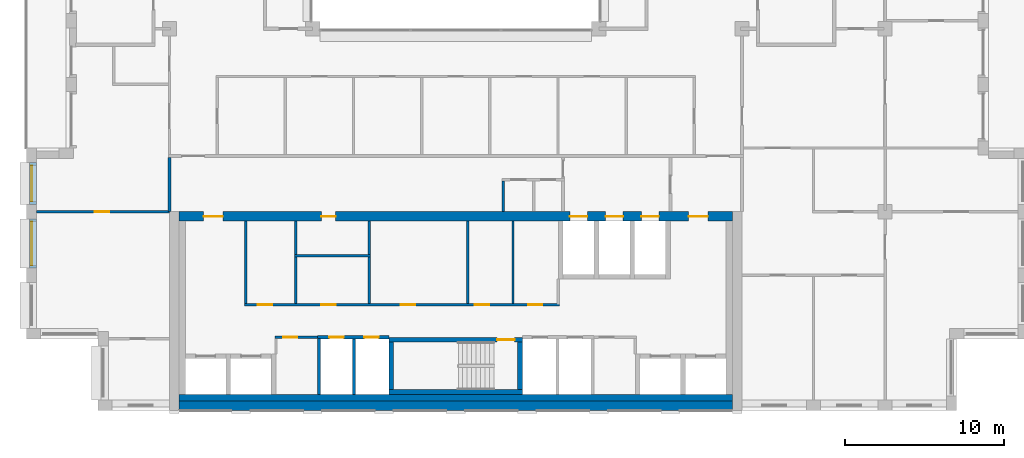
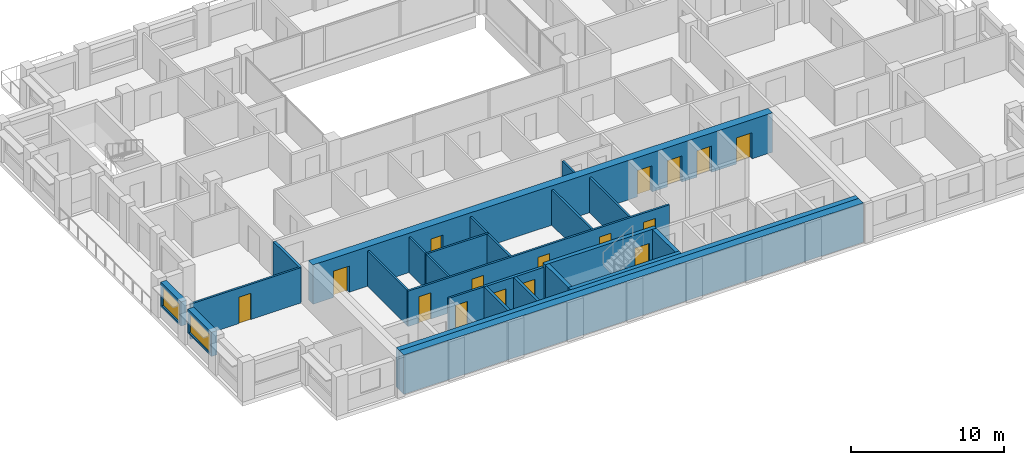
# One storey, part 8 of 15: 25 walls, 16 doors, 2 windows, 18 openings.
"""IFC4 building model written with IfcOpenShell, lengths in metres."""

from ifc_helpers import new_model, si_unit, direction, frame, frame_2d, origin, place, context, subcontext, project, spatial, rectangle, extrude, material, layer, layer_set, type_object, element, fill, save


model = new_model("IFC4")

# Units and contexts
model_context = context("Model", 3, precision=1e-05, world=origin(), true_north=direction((0.0, 1.0)))
body_context = subcontext(model_context, "Body", "Model", "MODEL_VIEW")
ifc_project = project(units=[si_unit("LENGTHUNIT", "METRE"), si_unit("AREAUNIT", "SQUARE_METRE"), si_unit("VOLUMEUNIT", "CUBIC_METRE"), si_unit("PLANEANGLEUNIT", "RADIAN"), si_unit("MASSUNIT", "GRAM", prefix="KILO")], contexts=[model_context])

# Site, building, storey
site_placement = place(None, origin())
site = spatial("IfcSite", under=ifc_project, at=site_placement, CompositionType="ELEMENT")
building_placement = place(site_placement, origin())
building = spatial("IfcBuilding", under=site, at=building_placement, Name="Brigalow Station Residences", CompositionType="ELEMENT")
storey_placement = place(building_placement, frame((0.0, 0.0, 220.050048828125)))
storey = spatial("IfcBuildingStorey", under=building, at=storey_placement, Name="L63", CompositionType="ELEMENT", Elevation=220.050048828125)

# Wall, opening, window
ifc_material_1 = material(Name="Clay brick masonry", Category="masonry")
ifc_layer_1 = layer(ifc_material_1, 0.449951171875)
ifc_layer_set_1 = layer_set([ifc_layer_1], Name="BRICK INFILL WALL 450")
wall_type_1 = type_object("IfcWallType", Name="BRICK INFILL WALL 450", PredefinedType="SOLIDWALL", material=ifc_layer_set_1)
wall_1_placement = place(storey_placement, frame((9.425048828125, 15.60009765625, 0.89990234375), z_axis=(0.0, 0.0, 1.0), x_axis=(0.0, -1.0, 0.0)))
wall_1 = element("IfcWall", 1, at=wall_1_placement, inside=storey, type_object=wall_type_1, Name="L63/ewall/W-L63-41", PredefinedType="SOLIDWALL", context=body_context, shape_type="SweptSolid", body=[
    extrude(rectangle(XDim=2.650146484375, YDim=0.449951171875, at=frame_2d((1.3251953125, 0.0))), origin(), (0.0, 0.0, 1.0), 1.929931640625),
])
opening_1_placement = place(wall_1_placement, frame((0.199951171875, 0.0, 0.14990234375)))
opening_1 = element("IfcOpeningElement", 2, at=opening_1_placement, cuts=wall_1, Name="Opening WT-6", PredefinedType="OPENING", context=body_context, shape_type="SweptSolid", body=[
    extrude(rectangle(XDim=2.25, YDim=1.5, at=frame_2d((1.125, 0.75))), frame((0.0, 0.23486328125, 0.0), z_axis=(0.0, -1.0, 0.0), x_axis=(1.0, 0.0, 0.0)), (0.0, 0.0, 1.0), 0.469970703125),
])
ifc_material_2 = material(Name="Anodised aluminium frame with double glazing", Category="aluminium")
window_type_1 = type_object("IfcWindowType", Name="WINDOW 2250x1500", PartitioningType="SINGLE_PANEL", PredefinedType="WINDOW", material=ifc_material_2)
window_1_placement = place(opening_1_placement, origin())
window_1 = element("IfcWindow", 3, at=window_1_placement, inside=storey, type_object=window_type_1, Name="L63/window/W-L63-41", OverallHeight=1.5, OverallWidth=2.25, PartitioningType="SINGLE_PANEL", PredefinedType="WINDOW", context=body_context, shape_type="SweptSolid", body=[
    extrude(rectangle(XDim=2.25, YDim=1.5, at=frame_2d((1.125, 0.75))), frame((0.0, -0.06494140625, 0.0), z_axis=(0.0, -1.0, 0.0), x_axis=(1.0, 0.0, 0.0)), (0.0, 0.0, 1.0), 0.06005859375),
])
fill(opening_1, window_1)

wall_2_placement = place(storey_placement, frame((9.425048828125, 12.050048828125, 0.89990234375), z_axis=(0.0, 0.0, 1.0), x_axis=(0.0, -1.0, 0.0)))
wall_2 = element("IfcWall", 4, at=wall_2_placement, inside=storey, type_object=wall_type_1, Name="L63/ewall/W-L63-42", PredefinedType="SOLIDWALL", context=body_context, shape_type="SweptSolid", body=[
    extrude(rectangle(XDim=3.10009765625, YDim=0.449951171875, at=frame_2d((1.550048828125, 0.0))), origin(), (0.0, 0.0, 1.0), 1.929931640625),
])
opening_2_placement = place(wall_2_placement, frame((0.175048828125, 0.0, 0.14990234375)))
opening_2 = element("IfcOpeningElement", 5, at=opening_2_placement, cuts=wall_2, Name="Opening WT-3", PredefinedType="OPENING", context=body_context, shape_type="SweptSolid", body=[
    extrude(rectangle(XDim=2.75, YDim=1.5, at=frame_2d((1.375, 0.75))), frame((0.0, 0.23486328125, 0.0), z_axis=(0.0, -1.0, 0.0), x_axis=(1.0, 0.0, 0.0)), (0.0, 0.0, 1.0), 0.469970703125),
])
ifc_material_3 = material(Name="Anodised aluminium frame with double glazing", Category="aluminium")
window_type_2 = type_object("IfcWindowType", Name="WINDOW 2750x1500", PartitioningType="SINGLE_PANEL", PredefinedType="WINDOW", material=ifc_material_3)
window_2_placement = place(opening_2_placement, origin())
window_2 = element("IfcWindow", 6, at=window_2_placement, inside=storey, type_object=window_type_2, Name="L63/window/W-L63-42", OverallHeight=1.5, OverallWidth=2.75, PartitioningType="SINGLE_PANEL", PredefinedType="WINDOW", context=body_context, shape_type="SweptSolid", body=[
    extrude(rectangle(XDim=2.75, YDim=1.5, at=frame_2d((1.375, 0.75))), frame((0.0, -0.06494140625, 0.0), z_axis=(0.0, -1.0, 0.0), x_axis=(1.0, 0.0, 0.0)), (0.0, 0.0, 1.0), 0.06005859375),
])
fill(opening_2, window_2)

# Wall
ifc_material_4 = material(Name="Concrete C50", Category="concrete")
ifc_layer_2 = layer(ifc_material_4, 0.300048828125)
ifc_layer_set_2 = layer_set([ifc_layer_2], Name="CORE SHEAR WALL 300 C50")
wall_type_2 = type_object("IfcWallType", Name="CORE SHEAR WALL 300 C50", PredefinedType="SHEAR", material=ifc_layer_set_2)
wall_3_placement = place(storey_placement, frame((31.800048828125, 1.14990234375, 0.0), z_axis=(0.0, 0.0, 1.0), x_axis=(1.0, 0.0, 0.0)))
element("IfcWall", 7, at=wall_3_placement, inside=storey, type_object=wall_type_2, Name="CORE WALL ST-S2-S L63", PredefinedType="SHEAR", context=body_context, shape_type="SweptSolid", body=[
    extrude(rectangle(XDim=8.39990234375, YDim=0.300048828125, at=frame_2d((4.199951171875, 0.0))), origin(), (0.0, 0.0, 1.0), 3.14990234375),
])

# Wall, opening, door
wall_4_placement = place(storey_placement, frame((31.800048828125, 4.449951171875, 0.0), z_axis=(0.0, 0.0, 1.0), x_axis=(1.0, 0.0, 0.0)))
wall_4 = element("IfcWall", 8, at=wall_4_placement, inside=storey, type_object=wall_type_2, Name="CORE WALL ST-S2-N L63", PredefinedType="SHEAR", context=body_context, shape_type="SweptSolid", body=[
    extrude(rectangle(XDim=8.39990234375, YDim=0.300048828125, at=frame_2d((4.199951171875, 0.0))), origin(), (0.0, 0.0, 1.0), 3.14990234375),
])
opening_3_placement = place(wall_4_placement, frame((6.800048828125, 0.0, 0.0)))
opening_3 = element("IfcOpeningElement", 9, at=opening_3_placement, cuts=wall_4, Name="Opening D-5001", PredefinedType="OPENING", context=body_context, shape_type="SweptSolid", body=[
    extrude(rectangle(XDim=1.10009765625, YDim=2.10009765625, at=frame_2d((0.550048828125, 1.050048828125))), frame((0.0, 0.16015625, 0.0), z_axis=(0.0, -1.0, 0.0), x_axis=(1.0, 0.0, 0.0)), (0.0, 0.0, 1.0), 0.320068359375),
])
ifc_material_5 = material(Name="Steel fire door leaf in steel frame", Category="steel")
door_type_1 = type_object("IfcDoorType", Name="STAIR DOOR 1100 x 2100 FD60S", OperationType="SINGLE_SWING_LEFT", PredefinedType="DOOR", material=ifc_material_5)
door_1_placement = place(opening_3_placement, frame((1.10009765625, 0.0, 0.0), z_axis=(0.0, 0.0, 1.0), x_axis=(-1.0, 0.0, 0.0)))
door_1 = element("IfcDoor", 10, at=door_1_placement, inside=storey, type_object=door_type_1, Name="D-5001", OperationType="SINGLE_SWING_LEFT", OverallHeight=2.10009765625, OverallWidth=1.10009765625, PredefinedType="DOOR", context=body_context, shape_type="SweptSolid", body=[
    extrude(rectangle(XDim=1.10009765625, YDim=2.10009765625, at=frame_2d((0.550048828125, 1.050048828125))), frame((0.0, 0.02490234375, 0.0), z_axis=(0.0, -1.0, 0.0), x_axis=(1.0, 0.0, 0.0)), (0.0, 0.0, 1.0), 0.050048828125),
])
fill(opening_3, door_1)

# Walls
for number, where, z_axis, x_axis, name in (
    (11, (31.949951171875, 1.300048828125, 0.0), (0.0, 0.0, 1.0), (0.0, 1.0, 0.0), "CORE WALL ST-S2-W L63"),
    (12, (40.050048828125, 1.300048828125, 0.0), (0.0, 0.0, 1.0), (0.0, 1.0, 0.0), "CORE WALL ST-S2-E L63"),
):
    element("IfcWall", number, at=place(storey_placement, frame(where, z_axis=z_axis, x_axis=x_axis)), inside=storey, type_object=wall_type_2, Name=name, PredefinedType="SHEAR", context=body_context, shape_type="SweptSolid", body=[
        extrude(rectangle(XDim=3.0, YDim=0.300048828125, at=frame_2d((1.5, 0.0))), origin(), (0.0, 0.0, 1.0), 3.14990234375),
    ])
ifc_material_6 = material(Name="Concrete C50", Category="concrete")
ifc_layer_3 = layer(ifc_material_6, 0.39990234375)
ifc_layer_set_3 = layer_set([ifc_layer_3], Name="CORE SHEAR WALL 400 C50")
wall_type_3 = type_object("IfcWallType", Name="CORE SHEAR WALL 400 C50", PredefinedType="SHEAR", material=ifc_layer_set_3)
wall_5_placement = place(storey_placement, frame((18.60009765625, 0.800048828125, 0.0), z_axis=(0.0, 0.0, 1.0), x_axis=(1.0, 0.0, 0.0)))
element("IfcWall", 13, at=wall_5_placement, inside=storey, type_object=wall_type_3, Name="CORE WALL LIN-S L63", PredefinedType="SHEAR", context=body_context, shape_type="SweptSolid", body=[
    extrude(rectangle(XDim=34.7998046875, YDim=0.39990234375, at=frame_2d((17.39990234375, 0.0))), origin(), (0.0, 0.0, 1.0), 3.14990234375),
])
ifc_material_7 = material(Name="Concrete C50", Category="concrete")
ifc_layer_4 = layer(ifc_material_7, 0.60009765625)
ifc_layer_set_4 = layer_set([ifc_layer_4], Name="CORE SHEAR WALL 600 C50")
wall_type_4 = type_object("IfcWallType", Name="CORE SHEAR WALL 600 C50", PredefinedType="SHEAR", material=ifc_layer_set_4)
wall_6_placement = place(storey_placement, frame((18.60009765625, 0.300048828125, 0.0), z_axis=(0.0, 0.0, 1.0), x_axis=(1.0, 0.0, 0.0)))
element("IfcWall", 14, at=wall_6_placement, inside=storey, type_object=wall_type_4, Name="CORE WALL OUT-S L63", PredefinedType="SHEAR", context=body_context, shape_type="SweptSolid", body=[
    extrude(rectangle(XDim=34.7998046875, YDim=0.60009765625, at=frame_2d((17.39990234375, 0.0))), origin(), (0.0, 0.0, 1.0), 3.14990234375),
])

# Wall, openings, doors
wall_7_placement = place(storey_placement, frame((18.60009765625, 12.199951171875, 0.0), z_axis=(0.0, 0.0, 1.0), x_axis=(1.0, 0.0, 0.0)))
wall_7 = element("IfcWall", 15, at=wall_7_placement, inside=storey, type_object=wall_type_4, Name="CORE WALL OUT-N L63", PredefinedType="SHEAR", context=body_context, shape_type="SweptSolid", body=[
    extrude(rectangle(XDim=34.7998046875, YDim=0.60009765625, at=frame_2d((17.39990234375, 0.0))), origin(), (0.0, 0.0, 1.0), 3.14990234375),
])
opening_4_placement = place(wall_7_placement, frame((24.574951171875, 0.0, 0.0)))
opening_4 = element("IfcOpeningElement", 16, at=opening_4_placement, cuts=wall_7, Name="Opening LD-LF1", PredefinedType="OPENING", context=body_context, shape_type="SweptSolid", body=[
    extrude(rectangle(XDim=1.10009765625, YDim=2.10009765625, at=frame_2d((0.550048828125, 1.050048828125))), frame((0.0, 0.31005859375, 0.0), z_axis=(0.0, -1.0, 0.0), x_axis=(1.0, 0.0, 0.0)), (0.0, 0.0, 1.0), 0.6201171875),
])
opening_5_placement = place(wall_7_placement, frame((26.824951171875, 0.0, 0.0)))
opening_5 = element("IfcOpeningElement", 17, at=opening_5_placement, cuts=wall_7, Name="Opening LD-LF2", PredefinedType="OPENING", context=body_context, shape_type="SweptSolid", body=[
    extrude(rectangle(XDim=1.10009765625, YDim=2.10009765625, at=frame_2d((0.550048828125, 1.050048828125))), frame((0.0, 0.31005859375, 0.0), z_axis=(0.0, -1.0, 0.0), x_axis=(1.0, 0.0, 0.0)), (0.0, 0.0, 1.0), 0.6201171875),
])
opening_6_placement = place(wall_7_placement, frame((29.074951171875, 0.0, 0.0)))
opening_6 = element("IfcOpeningElement", 18, at=opening_6_placement, cuts=wall_7, Name="Opening LD-LG1", PredefinedType="OPENING", context=body_context, shape_type="SweptSolid", body=[
    extrude(rectangle(XDim=1.10009765625, YDim=2.10009765625, at=frame_2d((0.550048828125, 1.050048828125))), frame((0.0, 0.31005859375, 0.0), z_axis=(0.0, -1.0, 0.0), x_axis=(1.0, 0.0, 0.0)), (0.0, 0.0, 1.0), 0.6201171875),
])
opening_7_placement = place(wall_7_placement, frame((8.949951171875, 0.0, 0.0)))
opening_7 = element("IfcOpeningElement", 19, at=opening_7_placement, cuts=wall_7, Name="Opening D-5121", PredefinedType="OPENING", context=body_context, shape_type="SweptSolid", body=[
    extrude(rectangle(XDim=0.89990234375, YDim=2.10009765625, at=frame_2d((0.449951171875, 1.050048828125))), frame((0.0, 0.31005859375, 0.0), z_axis=(0.0, -1.0, 0.0), x_axis=(1.0, 0.0, 0.0)), (0.0, 0.0, 1.0), 0.6201171875),
])
opening_8_placement = place(wall_7_placement, frame((1.550048828125, 0.0, 0.0)))
opening_8 = element("IfcOpeningElement", 20, at=opening_8_placement, cuts=wall_7, Name="Opening D-5011", PredefinedType="OPENING", context=body_context, shape_type="SweptSolid", body=[
    extrude(rectangle(XDim=1.199951171875, YDim=2.10009765625, at=frame_2d((0.60009765625, 1.050048828125))), frame((0.0, 0.31005859375, 0.0), z_axis=(0.0, -1.0, 0.0), x_axis=(1.0, 0.0, 0.0)), (0.0, 0.0, 1.0), 0.6201171875),
])
opening_9_placement = place(wall_7_placement, frame((32.050048828125, 0.0, 0.0)))
opening_9 = element("IfcOpeningElement", 21, at=opening_9_placement, cuts=wall_7, Name="Opening D-5012", PredefinedType="OPENING", context=body_context, shape_type="SweptSolid", body=[
    extrude(rectangle(XDim=1.199951171875, YDim=2.10009765625, at=frame_2d((0.60009765625, 1.050048828125))), frame((0.0, 0.31005859375, 0.0), z_axis=(0.0, -1.0, 0.0), x_axis=(1.0, 0.0, 0.0)), (0.0, 0.0, 1.0), 0.6201171875),
])
ifc_material_8 = material(Name="Steel fire door leaf in steel frame", Category="steel")
door_type_2 = type_object("IfcDoorType", Name="CORE CORRIDOR DOOR 1200 x 2100 FD60S", OperationType="SINGLE_SWING_LEFT", PredefinedType="DOOR", material=ifc_material_8)
door_2_placement = place(opening_8_placement, frame((1.199951171875, 0.0, 0.0), z_axis=(0.0, 0.0, 1.0), x_axis=(-1.0, 0.0, 0.0)))
door_2 = element("IfcDoor", 22, at=door_2_placement, inside=storey, type_object=door_type_2, Name="D-5011", OperationType="SINGLE_SWING_LEFT", OverallHeight=2.10009765625, OverallWidth=1.199951171875, PredefinedType="DOOR", context=body_context, shape_type="SweptSolid", body=[
    extrude(rectangle(XDim=1.199951171875, YDim=2.10009765625, at=frame_2d((0.60009765625, 1.050048828125))), frame((0.0, 0.02490234375, 0.0), z_axis=(0.0, -1.0, 0.0), x_axis=(1.0, 0.0, 0.0)), (0.0, 0.0, 1.0), 0.050048828125),
])
fill(opening_8, door_2)
door_3_placement = place(opening_9_placement, frame((1.199951171875, 0.0, 0.0), z_axis=(0.0, 0.0, 1.0), x_axis=(-1.0, 0.0, 0.0)))
door_3 = element("IfcDoor", 23, at=door_3_placement, inside=storey, type_object=door_type_2, Name="D-5012", OperationType="SINGLE_SWING_RIGHT", OverallHeight=2.10009765625, OverallWidth=1.199951171875, PredefinedType="DOOR", context=body_context, shape_type="SweptSolid", body=[
    extrude(rectangle(XDim=1.199951171875, YDim=2.10009765625, at=frame_2d((0.60009765625, 1.050048828125))), frame((0.0, 0.02490234375, 0.0), z_axis=(0.0, -1.0, 0.0), x_axis=(1.0, 0.0, 0.0)), (0.0, 0.0, 1.0), 0.050048828125),
])
fill(opening_9, door_3)
ifc_material_9 = material(Name="Stainless steel sliding door leaves", Category="steel")
door_type_3 = type_object("IfcDoorType", Name="LIFT LANDING DOOR 1100 x 2100", OperationType="DOUBLE_DOOR_SLIDING", PredefinedType="DOOR", material=ifc_material_9)
door_4_placement = place(opening_4_placement, origin())
door_4 = element("IfcDoor", 24, at=door_4_placement, inside=storey, type_object=door_type_3, Name="LANDING DOOR LF1", OperationType="DOUBLE_DOOR_SLIDING", OverallHeight=2.10009765625, OverallWidth=1.10009765625, PredefinedType="DOOR", context=body_context, shape_type="SweptSolid", body=[
    extrude(rectangle(XDim=1.10009765625, YDim=2.10009765625, at=frame_2d((0.550048828125, 1.050048828125))), frame((0.0, 0.02490234375, 0.0), z_axis=(0.0, -1.0, 0.0), x_axis=(1.0, 0.0, 0.0)), (0.0, 0.0, 1.0), 0.050048828125),
])
fill(opening_4, door_4)
door_5_placement = place(opening_5_placement, origin())
door_5 = element("IfcDoor", 25, at=door_5_placement, inside=storey, type_object=door_type_3, Name="LANDING DOOR LF2", OperationType="DOUBLE_DOOR_SLIDING", OverallHeight=2.10009765625, OverallWidth=1.10009765625, PredefinedType="DOOR", context=body_context, shape_type="SweptSolid", body=[
    extrude(rectangle(XDim=1.10009765625, YDim=2.10009765625, at=frame_2d((0.550048828125, 1.050048828125))), frame((0.0, 0.02490234375, 0.0), z_axis=(0.0, -1.0, 0.0), x_axis=(1.0, 0.0, 0.0)), (0.0, 0.0, 1.0), 0.050048828125),
])
fill(opening_5, door_5)
door_6_placement = place(opening_6_placement, origin())
door_6 = element("IfcDoor", 26, at=door_6_placement, inside=storey, type_object=door_type_3, Name="LANDING DOOR LG1", OperationType="DOUBLE_DOOR_SLIDING", OverallHeight=2.10009765625, OverallWidth=1.10009765625, PredefinedType="DOOR", context=body_context, shape_type="SweptSolid", body=[
    extrude(rectangle(XDim=1.10009765625, YDim=2.10009765625, at=frame_2d((0.550048828125, 1.050048828125))), frame((0.0, 0.02490234375, 0.0), z_axis=(0.0, -1.0, 0.0), x_axis=(1.0, 0.0, 0.0)), (0.0, 0.0, 1.0), 0.050048828125),
])
fill(opening_6, door_6)
ifc_material_10 = material(Name="Steel door leaf in steel frame", Category="steel")
door_type_4 = type_object("IfcDoorType", Name="SERVICE ROOM DOOR 900 x 2100 FD60", OperationType="SINGLE_SWING_LEFT", PredefinedType="DOOR", material=ifc_material_10)
door_7_placement = place(opening_7_placement, frame((0.89990234375, 0.0, 0.0), z_axis=(0.0, 0.0, 1.0), x_axis=(-1.0, 0.0, 0.0)))
door_7 = element("IfcDoor", 27, at=door_7_placement, inside=storey, type_object=door_type_4, Name="D-5121", OperationType="SINGLE_SWING_RIGHT", OverallHeight=2.10009765625, OverallWidth=0.89990234375, PredefinedType="DOOR", context=body_context, shape_type="SweptSolid", body=[
    extrude(rectangle(XDim=0.89990234375, YDim=2.10009765625, at=frame_2d((0.449951171875, 1.050048828125))), frame((0.0, 0.02490234375, 0.0), z_axis=(0.0, -1.0, 0.0), x_axis=(1.0, 0.0, 0.0)), (0.0, 0.0, 1.0), 0.050048828125),
])
fill(opening_7, door_7)

ifc_material_11 = material(Name="Concrete blockwork", Category="masonry")
ifc_layer_5 = layer(ifc_material_11, 0.199951171875)
ifc_layer_set_5 = layer_set([ifc_layer_5], Name="FIRE RATED CORE PARTITION 200")
wall_type_5 = type_object("IfcWallType", Name="FIRE RATED CORE PARTITION 200", PredefinedType="PARTITIONING", material=ifc_layer_set_5)
wall_8_placement = place(storey_placement, frame((27.300048828125, 4.60009765625, 0.0), z_axis=(0.0, 0.0, 1.0), x_axis=(1.0, 0.0, 0.0)))
wall_8 = element("IfcWall", 28, at=wall_8_placement, inside=storey, type_object=wall_type_5, Name="PW-5017", PredefinedType="PARTITIONING", context=body_context, shape_type="SweptSolid", body=[
    extrude(rectangle(XDim=4.5, YDim=0.199951171875, at=frame_2d((2.25, 0.0))), origin(), (0.0, 0.0, 1.0), 2.829833984375),
])
opening_10_placement = place(wall_8_placement, frame((0.75, 0.0, 0.0)))
opening_10 = element("IfcOpeningElement", 29, at=opening_10_placement, cuts=wall_8, Name="Opening D-5007", PredefinedType="OPENING", context=body_context, shape_type="SweptSolid", body=[
    extrude(rectangle(XDim=0.89990234375, YDim=2.10009765625, at=frame_2d((0.449951171875, 1.050048828125))), frame((0.0, 0.10986328125, 0.0), z_axis=(0.0, -1.0, 0.0), x_axis=(1.0, 0.0, 0.0)), (0.0, 0.0, 1.0), 0.219970703125),
])
opening_11_placement = place(wall_8_placement, frame((2.949951171875, 0.0, 0.0)))
opening_11 = element("IfcOpeningElement", 30, at=opening_11_placement, cuts=wall_8, Name="Opening D-5008", PredefinedType="OPENING", context=body_context, shape_type="SweptSolid", body=[
    extrude(rectangle(XDim=0.89990234375, YDim=2.10009765625, at=frame_2d((0.449951171875, 1.050048828125))), frame((0.0, 0.10986328125, 0.0), z_axis=(0.0, -1.0, 0.0), x_axis=(1.0, 0.0, 0.0)), (0.0, 0.0, 1.0), 0.219970703125),
])
ifc_material_12 = material(Name="Steel fire door leaf in steel frame", Category="steel")
door_type_5 = type_object("IfcDoorType", Name="RISER ACCESS DOOR 900 x 2100 FD120", OperationType="SINGLE_SWING_LEFT", PredefinedType="DOOR", material=ifc_material_12)
door_8_placement = place(opening_10_placement, frame((0.89990234375, 0.0, 0.0), z_axis=(0.0, 0.0, 1.0), x_axis=(-1.0, 0.0, 0.0)))
door_8 = element("IfcDoor", 31, at=door_8_placement, inside=storey, type_object=door_type_5, Name="D-5007", OperationType="SINGLE_SWING_RIGHT", OverallHeight=2.10009765625, OverallWidth=0.89990234375, PredefinedType="DOOR", context=body_context, shape_type="SweptSolid", body=[
    extrude(rectangle(XDim=0.89990234375, YDim=2.10009765625, at=frame_2d((0.449951171875, 1.050048828125))), frame((0.0, 0.02490234375, 0.0), z_axis=(0.0, -1.0, 0.0), x_axis=(1.0, 0.0, 0.0)), (0.0, 0.0, 1.0), 0.050048828125),
])
fill(opening_10, door_8)
door_9_placement = place(opening_11_placement, frame((0.89990234375, 0.0, 0.0), z_axis=(0.0, 0.0, 1.0), x_axis=(-1.0, 0.0, 0.0)))
door_9 = element("IfcDoor", 32, at=door_9_placement, inside=storey, type_object=door_type_5, Name="D-5008", OperationType="SINGLE_SWING_RIGHT", OverallHeight=2.10009765625, OverallWidth=0.89990234375, PredefinedType="DOOR", context=body_context, shape_type="SweptSolid", body=[
    extrude(rectangle(XDim=0.89990234375, YDim=2.10009765625, at=frame_2d((0.449951171875, 1.050048828125))), frame((0.0, 0.02490234375, 0.0), z_axis=(0.0, -1.0, 0.0), x_axis=(1.0, 0.0, 0.0)), (0.0, 0.0, 1.0), 0.050048828125),
])
fill(opening_11, door_9)

# Walls
wall_9_placement = place(storey_placement, frame((27.39990234375, 1.0, 0.0), z_axis=(0.0, 0.0, 1.0), x_axis=(0.0, 1.0, 0.0)))
element("IfcWall", 33, at=wall_9_placement, inside=storey, type_object=wall_type_5, Name="PW-5027", PredefinedType="PARTITIONING", context=body_context, shape_type="SweptSolid", body=[
    extrude(rectangle(XDim=3.52490234375, YDim=0.199951171875, at=frame_2d((1.762451171875, 0.0))), origin(), (0.0, 0.0, 1.0), 2.829833984375),
])
wall_10_placement = place(storey_placement, frame((29.60009765625, 1.0, 0.0), z_axis=(0.0, 0.0, 1.0), x_axis=(0.0, 1.0, 0.0)))
element("IfcWall", 34, at=wall_10_placement, inside=storey, type_object=wall_type_5, Name="PW-5006", PredefinedType="PARTITIONING", context=body_context, shape_type="SweptSolid", body=[
    extrude(rectangle(XDim=3.5, YDim=0.199951171875, at=frame_2d((1.75, 0.0))), origin(), (0.0, 0.0, 1.0), 2.829833984375),
])
wall_11_placement = place(storey_placement, frame((18.0, 12.5, 0.0), z_axis=(0.0, 0.0, 1.0), x_axis=(0.0, 1.0, 0.0)))
element("IfcWall", 35, at=wall_11_placement, inside=storey, type_object=wall_type_5, Name="PW-5013", PredefinedType="PARTITIONING", context=body_context, shape_type="SweptSolid", body=[
    extrude(rectangle(XDim=3.39990234375, YDim=0.199951171875, at=frame_2d((1.699951171875, 0.0))), origin(), (0.0, 0.0, 1.0), 2.829833984375),
])

# Wall, opening, door
ifc_material_13 = material(Name="Plasterboard on steel stud partition", Category="steel")
ifc_layer_6 = layer(ifc_material_13, 0.14990234375)
ifc_layer_set_6 = layer_set([ifc_layer_6], Name="FLAT PARTITION 150")
wall_type_6 = type_object("IfcWallType", Name="FLAT PARTITION 150", PredefinedType="PARTITIONING", material=ifc_layer_set_6)
wall_12_placement = place(storey_placement, frame((9.64990234375, 12.5, 0.0), z_axis=(0.0, 0.0, 1.0), x_axis=(1.0, 0.0, 0.0)))
wall_12 = element("IfcWall", 36, at=wall_12_placement, inside=storey, type_object=wall_type_6, Name="PW-4C09", PredefinedType="PARTITIONING", context=body_context, shape_type="SweptSolid", body=[
    extrude(rectangle(XDim=8.35009765625, YDim=0.14990234375, at=frame_2d((4.175048828125, 0.0))), origin(), (0.0, 0.0, 1.0), 2.829833984375),
])
opening_12_placement = place(wall_12_placement, frame((3.64990234375, 0.0, 0.0)))
opening_12 = element("IfcOpeningElement", 37, at=opening_12_placement, cuts=wall_12, Name="Opening D-4C05", PredefinedType="OPENING", context=body_context, shape_type="SweptSolid", body=[
    extrude(rectangle(XDim=0.89990234375, YDim=2.10009765625, at=frame_2d((0.449951171875, 1.050048828125))), frame((0.0, 0.0849609375, 0.0), z_axis=(0.0, -1.0, 0.0), x_axis=(1.0, 0.0, 0.0)), (0.0, 0.0, 1.0), 0.169921875),
])
ifc_material_14 = material(Name="Solid-core timber door leaf", Category="wood")
door_type_6 = type_object("IfcDoorType", Name="INTERNAL DOOR 900 x 2100", OperationType="SINGLE_SWING_LEFT", PredefinedType="DOOR", material=ifc_material_14)
door_10_placement = place(opening_12_placement, origin())
door_10 = element("IfcDoor", 38, at=door_10_placement, inside=storey, type_object=door_type_6, Name="D-4C05", OperationType="SINGLE_SWING_LEFT", OverallHeight=2.10009765625, OverallWidth=0.89990234375, PredefinedType="DOOR", context=body_context, shape_type="SweptSolid", body=[
    extrude(rectangle(XDim=0.89990234375, YDim=2.10009765625, at=frame_2d((0.449951171875, 1.050048828125))), frame((0.0, 0.02490234375, 0.0), z_axis=(0.0, -1.0, 0.0), x_axis=(1.0, 0.0, 0.0)), (0.0, 0.0, 1.0), 0.050048828125),
])
fill(opening_12, door_10)

ifc_material_15 = material(Name="Plasterboard on steel studs", Category="steel")
ifc_layer_7 = layer(ifc_material_15, 0.14990234375)
ifc_layer_set_7 = layer_set([ifc_layer_7], Name="SERVICE ROOM PARTITION 150")
wall_type_7 = type_object("IfcWallType", Name="SERVICE ROOM PARTITION 150", PredefinedType="PARTITIONING", material=ifc_layer_set_7)
wall_13_placement = place(storey_placement, frame((24.625, 4.60009765625, 0.0), z_axis=(0.0, 0.0, 1.0), x_axis=(1.0, 0.0, 0.0)))
wall_13 = element("IfcWall", 39, at=wall_13_placement, inside=storey, type_object=wall_type_7, Name="PW-5155", PredefinedType="PARTITIONING", context=body_context, shape_type="SweptSolid", body=[
    extrude(rectangle(XDim=2.675048828125, YDim=0.14990234375, at=frame_2d((1.33740234375, 0.0))), origin(), (0.0, 0.0, 1.0), 2.829833984375),
])
opening_13_placement = place(wall_13_placement, frame((0.52490234375, 0.0, 0.0)))
opening_13 = element("IfcOpeningElement", 40, at=opening_13_placement, cuts=wall_13, Name="Opening D-5087", PredefinedType="OPENING", context=body_context, shape_type="SweptSolid", body=[
    extrude(rectangle(XDim=0.89990234375, YDim=2.10009765625, at=frame_2d((0.449951171875, 1.050048828125))), frame((0.0, 0.0849609375, 0.0), z_axis=(0.0, -1.0, 0.0), x_axis=(1.0, 0.0, 0.0)), (0.0, 0.0, 1.0), 0.169921875),
])
door_11_placement = place(opening_13_placement, frame((0.89990234375, 0.0, 0.0), z_axis=(0.0, 0.0, 1.0), x_axis=(-1.0, 0.0, 0.0)))
door_11 = element("IfcDoor", 41, at=door_11_placement, inside=storey, type_object=door_type_4, Name="D-5087", OperationType="SINGLE_SWING_RIGHT", OverallHeight=2.10009765625, OverallWidth=0.89990234375, PredefinedType="DOOR", context=body_context, shape_type="SweptSolid", body=[
    extrude(rectangle(XDim=0.89990234375, YDim=2.10009765625, at=frame_2d((0.449951171875, 1.050048828125))), frame((0.0, 0.02490234375, 0.0), z_axis=(0.0, -1.0, 0.0), x_axis=(1.0, 0.0, 0.0)), (0.0, 0.0, 1.0), 0.050048828125),
])
fill(opening_13, door_11)

# Wall, openings, doors
wall_14_placement = place(storey_placement, frame((22.72509765625, 6.64990234375, 0.0), z_axis=(0.0, 0.0, 1.0), x_axis=(1.0, 0.0, 0.0)))
wall_14 = element("IfcWall", 42, at=wall_14_placement, inside=storey, type_object=wall_type_7, Name="PW-5195", PredefinedType="PARTITIONING", context=body_context, shape_type="SweptSolid", body=[
    extrude(rectangle(XDim=19.7998046875, YDim=0.14990234375, at=frame_2d((9.89990234375, 0.0))), origin(), (0.0, 0.0, 1.0), 2.829833984375),
])
opening_14_placement = place(wall_14_placement, frame((0.824951171875, 0.0, 0.0)))
opening_14 = element("IfcOpeningElement", 43, at=opening_14_placement, cuts=wall_14, Name="Opening D-5110", PredefinedType="OPENING", context=body_context, shape_type="SweptSolid", body=[
    extrude(rectangle(XDim=0.89990234375, YDim=2.10009765625, at=frame_2d((0.449951171875, 1.050048828125))), frame((0.0, 0.0849609375, 0.0), z_axis=(0.0, -1.0, 0.0), x_axis=(1.0, 0.0, 0.0)), (0.0, 0.0, 1.0), 0.169921875),
])
opening_15_placement = place(wall_14_placement, frame((4.824951171875, 0.0, 0.0)))
opening_15 = element("IfcOpeningElement", 44, at=opening_15_placement, cuts=wall_14, Name="Opening D-5116", PredefinedType="OPENING", context=body_context, shape_type="SweptSolid", body=[
    extrude(rectangle(XDim=0.89990234375, YDim=2.10009765625, at=frame_2d((0.449951171875, 1.050048828125))), frame((0.0, 0.0849609375, 0.0), z_axis=(0.0, -1.0, 0.0), x_axis=(1.0, 0.0, 0.0)), (0.0, 0.0, 1.0), 0.169921875),
])
opening_16_placement = place(wall_14_placement, frame((9.824951171875, 0.0, 0.0)))
opening_16 = element("IfcOpeningElement", 45, at=opening_16_placement, cuts=wall_14, Name="Opening D-5117", PredefinedType="OPENING", context=body_context, shape_type="SweptSolid", body=[
    extrude(rectangle(XDim=0.89990234375, YDim=2.10009765625, at=frame_2d((0.449951171875, 1.050048828125))), frame((0.0, 0.0849609375, 0.0), z_axis=(0.0, -1.0, 0.0), x_axis=(1.0, 0.0, 0.0)), (0.0, 0.0, 1.0), 0.169921875),
])
opening_17_placement = place(wall_14_placement, frame((14.47509765625, 0.0, 0.0)))
opening_17 = element("IfcOpeningElement", 46, at=opening_17_placement, cuts=wall_14, Name="Opening D-5114", PredefinedType="OPENING", context=body_context, shape_type="SweptSolid", body=[
    extrude(rectangle(XDim=0.89990234375, YDim=2.10009765625, at=frame_2d((0.449951171875, 1.050048828125))), frame((0.0, 0.0849609375, 0.0), z_axis=(0.0, -1.0, 0.0), x_axis=(1.0, 0.0, 0.0)), (0.0, 0.0, 1.0), 0.169921875),
])
opening_18_placement = place(wall_14_placement, frame((17.824951171875, 0.0, 0.0)))
opening_18 = element("IfcOpeningElement", 47, at=opening_18_placement, cuts=wall_14, Name="Opening D-5115", PredefinedType="OPENING", context=body_context, shape_type="SweptSolid", body=[
    extrude(rectangle(XDim=0.89990234375, YDim=2.10009765625, at=frame_2d((0.449951171875, 1.050048828125))), frame((0.0, 0.0849609375, 0.0), z_axis=(0.0, -1.0, 0.0), x_axis=(1.0, 0.0, 0.0)), (0.0, 0.0, 1.0), 0.169921875),
])
door_12_placement = place(opening_14_placement, origin())
door_12 = element("IfcDoor", 48, at=door_12_placement, inside=storey, type_object=door_type_4, Name="D-5110", OperationType="SINGLE_SWING_LEFT", OverallHeight=2.10009765625, OverallWidth=0.89990234375, PredefinedType="DOOR", context=body_context, shape_type="SweptSolid", body=[
    extrude(rectangle(XDim=0.89990234375, YDim=2.10009765625, at=frame_2d((0.449951171875, 1.050048828125))), frame((0.0, 0.02490234375, 0.0), z_axis=(0.0, -1.0, 0.0), x_axis=(1.0, 0.0, 0.0)), (0.0, 0.0, 1.0), 0.050048828125),
])
fill(opening_14, door_12)
door_13_placement = place(opening_15_placement, origin())
door_13 = element("IfcDoor", 49, at=door_13_placement, inside=storey, type_object=door_type_4, Name="D-5116", OperationType="SINGLE_SWING_LEFT", OverallHeight=2.10009765625, OverallWidth=0.89990234375, PredefinedType="DOOR", context=body_context, shape_type="SweptSolid", body=[
    extrude(rectangle(XDim=0.89990234375, YDim=2.10009765625, at=frame_2d((0.449951171875, 1.050048828125))), frame((0.0, 0.02490234375, 0.0), z_axis=(0.0, -1.0, 0.0), x_axis=(1.0, 0.0, 0.0)), (0.0, 0.0, 1.0), 0.050048828125),
])
fill(opening_15, door_13)
door_14_placement = place(opening_16_placement, origin())
door_14 = element("IfcDoor", 50, at=door_14_placement, inside=storey, type_object=door_type_4, Name="D-5117", OperationType="SINGLE_SWING_LEFT", OverallHeight=2.10009765625, OverallWidth=0.89990234375, PredefinedType="DOOR", context=body_context, shape_type="SweptSolid", body=[
    extrude(rectangle(XDim=0.89990234375, YDim=2.10009765625, at=frame_2d((0.449951171875, 1.050048828125))), frame((0.0, 0.02490234375, 0.0), z_axis=(0.0, -1.0, 0.0), x_axis=(1.0, 0.0, 0.0)), (0.0, 0.0, 1.0), 0.050048828125),
])
fill(opening_16, door_14)
door_15_placement = place(opening_17_placement, origin())
door_15 = element("IfcDoor", 51, at=door_15_placement, inside=storey, type_object=door_type_4, Name="D-5114", OperationType="SINGLE_SWING_LEFT", OverallHeight=2.10009765625, OverallWidth=0.89990234375, PredefinedType="DOOR", context=body_context, shape_type="SweptSolid", body=[
    extrude(rectangle(XDim=0.89990234375, YDim=2.10009765625, at=frame_2d((0.449951171875, 1.050048828125))), frame((0.0, 0.02490234375, 0.0), z_axis=(0.0, -1.0, 0.0), x_axis=(1.0, 0.0, 0.0)), (0.0, 0.0, 1.0), 0.050048828125),
])
fill(opening_17, door_15)
door_16_placement = place(opening_18_placement, origin())
door_16 = element("IfcDoor", 52, at=door_16_placement, inside=storey, type_object=door_type_4, Name="D-5115", OperationType="SINGLE_SWING_LEFT", OverallHeight=2.10009765625, OverallWidth=0.89990234375, PredefinedType="DOOR", context=body_context, shape_type="SweptSolid", body=[
    extrude(rectangle(XDim=0.89990234375, YDim=2.10009765625, at=frame_2d((0.449951171875, 1.050048828125))), frame((0.0, 0.02490234375, 0.0), z_axis=(0.0, -1.0, 0.0), x_axis=(1.0, 0.0, 0.0)), (0.0, 0.0, 1.0), 0.050048828125),
])
fill(opening_18, door_16)

# Walls
wall_15_placement = place(storey_placement, frame((25.85498046875, 9.72998046875, 0.0), z_axis=(0.0, 0.0, 1.0), x_axis=(1.0, 0.0, 0.0)))
element("IfcWall", 53, at=wall_15_placement, inside=storey, type_object=wall_type_7, Name="PW-5224", PredefinedType="PARTITIONING", context=body_context, shape_type="SweptSolid", body=[
    extrude(rectangle(XDim=4.7900390625, YDim=0.14990234375, at=frame_2d((2.39501953125, 0.0))), origin(), (0.0, 0.0, 1.0), 2.829833984375),
])
wall_16_placement = place(storey_placement, frame((22.800048828125, 6.72509765625, 0.0), z_axis=(0.0, 0.0, 1.0), x_axis=(0.0, 1.0, 0.0)))
element("IfcWall", 54, at=wall_16_placement, inside=storey, type_object=wall_type_7, Name="PW-5197", PredefinedType="PARTITIONING", context=body_context, shape_type="SweptSolid", body=[
    extrude(rectangle(XDim=5.1748046875, YDim=0.14990234375, at=frame_2d((2.58740234375, 0.0))), origin(), (0.0, 0.0, 1.0), 2.829833984375),
])
for number, where, z_axis, x_axis, name in (
    (55, (25.929931640625, 6.72509765625, 0.0), (0.0, 0.0, 1.0), (0.0, 1.0, 0.0), "PW-5225"),
    (56, (30.570068359375, 6.72509765625, 0.0), (0.0, 0.0, 1.0), (0.0, 1.0, 0.0), "PW-5226"),
):
    element("IfcWall", number, at=place(storey_placement, frame(where, z_axis=z_axis, x_axis=x_axis)), inside=storey, type_object=wall_type_7, Name=name, PredefinedType="PARTITIONING", context=body_context, shape_type="SweptSolid", body=[
        extrude(rectangle(XDim=2.929931640625, YDim=0.14990234375, at=frame_2d((1.46484375, 0.0))), origin(), (0.0, 0.0, 1.0), 2.829833984375),
    ])
for number, where, z_axis, x_axis, name in (
    (57, (36.75, 6.72509765625, 0.0), (0.0, 0.0, 1.0), (0.0, 1.0, 0.0), "PW-5227"),
    (58, (39.60009765625, 6.72509765625, 0.0), (0.0, 0.0, 1.0), (0.0, 1.0, 0.0), "PW-5201"),
):
    element("IfcWall", number, at=place(storey_placement, frame(where, z_axis=z_axis, x_axis=x_axis)), inside=storey, type_object=wall_type_7, Name=name, PredefinedType="PARTITIONING", context=body_context, shape_type="SweptSolid", body=[
        extrude(rectangle(XDim=5.1748046875, YDim=0.14990234375, at=frame_2d((2.58740234375, 0.0))), origin(), (0.0, 0.0, 1.0), 2.829833984375),
    ])
for number, where, z_axis, x_axis, name in (
    (59, (25.929931640625, 9.804931640625, 0.0), (0.0, 0.0, 1.0), (0.0, 1.0, 0.0), "PW-5228"),
    (60, (30.570068359375, 9.804931640625, 0.0), (0.0, 0.0, 1.0), (0.0, 1.0, 0.0), "PW-5229"),
):
    element("IfcWall", number, at=place(storey_placement, frame(where, z_axis=z_axis, x_axis=x_axis)), inside=storey, type_object=wall_type_7, Name=name, PredefinedType="PARTITIONING", context=body_context, shape_type="SweptSolid", body=[
        extrude(rectangle(XDim=2.094970703125, YDim=0.14990234375, at=frame_2d((1.04736328125, 0.0))), origin(), (0.0, 0.0, 1.0), 2.829833984375),
    ])
wall_17_placement = place(storey_placement, frame((39.0, 12.5, 0.0), z_axis=(0.0, 0.0, 1.0), x_axis=(0.0, 1.0, 0.0)))
element("IfcWall", 61, at=wall_17_placement, inside=storey, type_object=wall_type_7, Name="PW-5136", PredefinedType="PARTITIONING", context=body_context, shape_type="SweptSolid", body=[
    extrude(rectangle(XDim=1.925048828125, YDim=0.14990234375, at=frame_2d((0.96240234375, 0.0))), origin(), (0.0, 0.0, 1.0), 2.829833984375),
])

save(model, "model.ifc")
